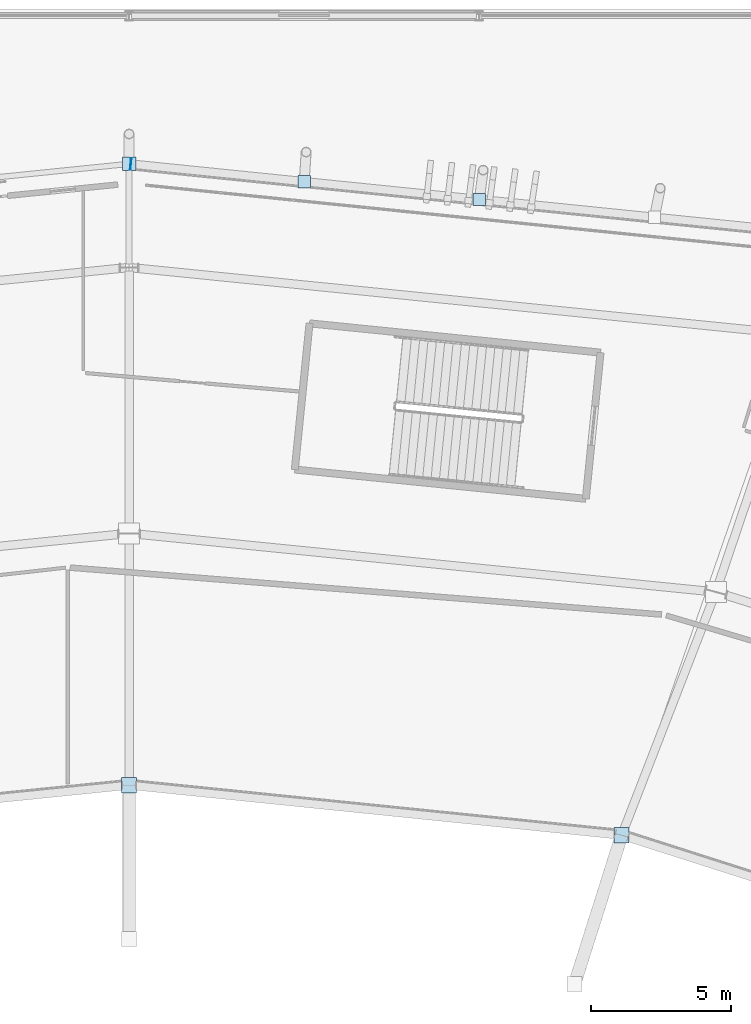
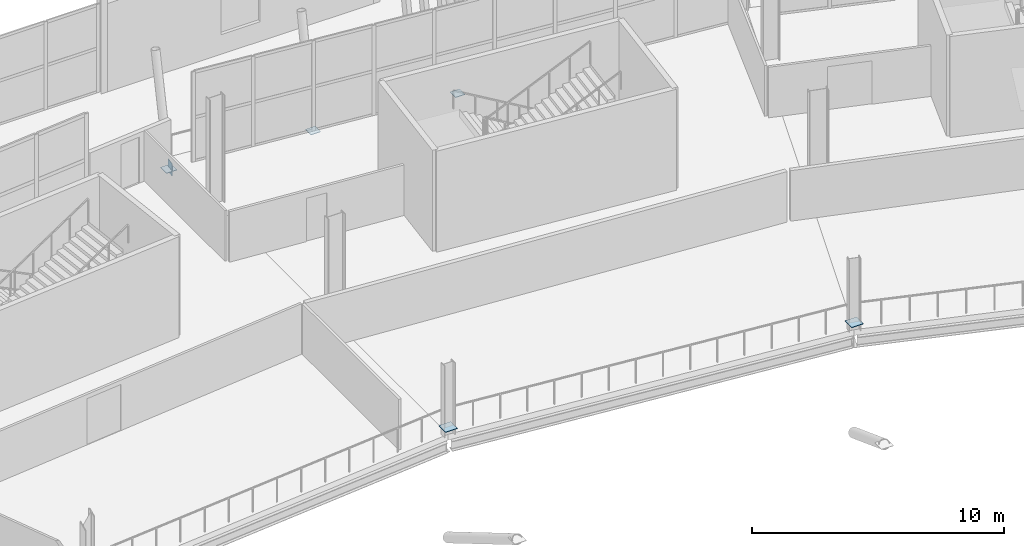
# One storey, part 112 of 168: 6 plates.
"""IFC4 building model written with IfcOpenShell, lengths in metres."""

from ifc_helpers import new_model, si_unit, direction, frame, origin, origin_2d, place, context, subcontext, project, spatial, rectangle, extrude, material, layer, layer_set, type_object, element, save


model = new_model("IFC4")

# Units and contexts
model_context = context("Model", 3, precision=1e-05, world=origin(), true_north=direction((0.0, 1.0)))
body_context = subcontext(model_context, "Body", "Model", "MODEL_VIEW")
ifc_project = project(units=[si_unit("LENGTHUNIT", "METRE"), si_unit("AREAUNIT", "SQUARE_METRE"), si_unit("VOLUMEUNIT", "CUBIC_METRE"), si_unit("PLANEANGLEUNIT", "RADIAN"), si_unit("MASSUNIT", "GRAM", prefix="KILO")], contexts=[model_context])

# Site, building, storey
site_placement = place(None, origin())
site = spatial("IfcSite", under=ifc_project, at=site_placement, CompositionType="ELEMENT")
building_placement = place(site_placement, origin())
building = spatial("IfcBuilding", under=site, at=building_placement, Name="Zlatoyarsky Gate Stadium", CompositionType="ELEMENT")
storey_placement = place(building_placement, frame((0.0, 0.0, 15.60009765625)))
storey = spatial("IfcBuildingStorey", under=building, at=storey_placement, Name="L03", CompositionType="ELEMENT", Elevation=15.60009765625)

# Plates
ifc_material = material(Name="Steel S355", Category="steel")
ifc_layer = layer(ifc_material, 0.02392578125)
ifc_layer_set = layer_set([ifc_layer], Name="Steel S355")
plate_type = type_object("IfcPlateType", Name="STEEL HOLLOW CHORD SPLICE SHEET 24", PredefinedType="SHEET", material=ifc_layer_set)
plate_1_placement = place(storey_placement, frame((111.059814453125, 154.696044921875, -0.830078125), z_axis=(0.0, 0.0, 1.0), x_axis=(-0.994868281211, 0.101178570066, 0.0)))
element("IfcPlate", 1, at=plate_1_placement, inside=storey, type_object=plate_type, Name="Hollow end cap ND-SP1 CAP-L03-SPD-05 B", PredefinedType="SHEET", context=body_context, shape_type="SweptSolid", body=[
    extrude(rectangle(XDim=0.02392578125, YDim=0.39990234375, at=origin_2d()), origin(), (0.0, 0.0, 1.0), 0.60009765625),
])
plate_2_placement = place(storey_placement, frame((111.0, 154.7021484375, -0.592041015625), z_axis=(0.0, 0.0, 1.0), x_axis=(1.0, 0.0, 0.0)))
element("IfcPlate", 2, at=plate_2_placement, inside=storey, type_object=plate_type, Name="Node closure plate ND-SP1 NCAP-L03-RSTR-06", PredefinedType="SHEET", context=body_context, shape_type="SweptSolid", body=[
    extrude(rectangle(XDim=0.47998046875, YDim=0.47998046875, at=origin_2d()), origin(), (0.0, 0.0, 1.0), 0.02392578125),
])
for number, where, z_axis, x_axis, name in (
    (3, (128.599609375, 130.711181640625, 0.337890625), (0.0, 0.0, 1.0), (1.0, 0.0, 0.0), "Node closure plate ND-SP1 NCAP-UTOPB-05"),
    (4, (111.0, 132.5, 0.337890625), (0.0, 0.0, 1.0), (1.0, 0.0, 0.0), "Node closure plate ND-SP1 NCAP-UTOPB-06"),
):
    element("IfcPlate", number, at=place(storey_placement, frame(where, z_axis=z_axis, x_axis=x_axis)), inside=storey, type_object=plate_type, Name=name, PredefinedType="SHEET", context=body_context, shape_type="SweptSolid", body=[
        extrude(rectangle(XDim=0.5400390625, YDim=0.5400390625, at=origin_2d()), origin(), (0.0, 0.0, 1.0), 0.02392578125),
    ])
for number, where, z_axis, x_axis, name in (
    (5, (123.51416015625, 153.429443359375, -0.5419921875), (0.0, 0.0, 1.0), (1.0, 0.0, 0.0), "Node closure plate ND-SP1 NCAP-RIB-05-2-1T"),
    (6, (117.257080078125, 154.06591796875, -0.5419921875), (0.0, 0.0, 1.0), (1.0, 0.0, 0.0), "Node closure plate ND-SP1 NCAP-RIB-05-3-1T"),
):
    element("IfcPlate", number, at=place(storey_placement, frame(where, z_axis=z_axis, x_axis=x_axis)), inside=storey, type_object=plate_type, Name=name, PredefinedType="SHEET", context=body_context, shape_type="SweptSolid", body=[
        extrude(rectangle(XDim=0.43994140625, YDim=0.43994140625, at=origin_2d()), origin(), (0.0, 0.0, 1.0), 0.02392578125),
    ])

save(model, "model.ifc")
